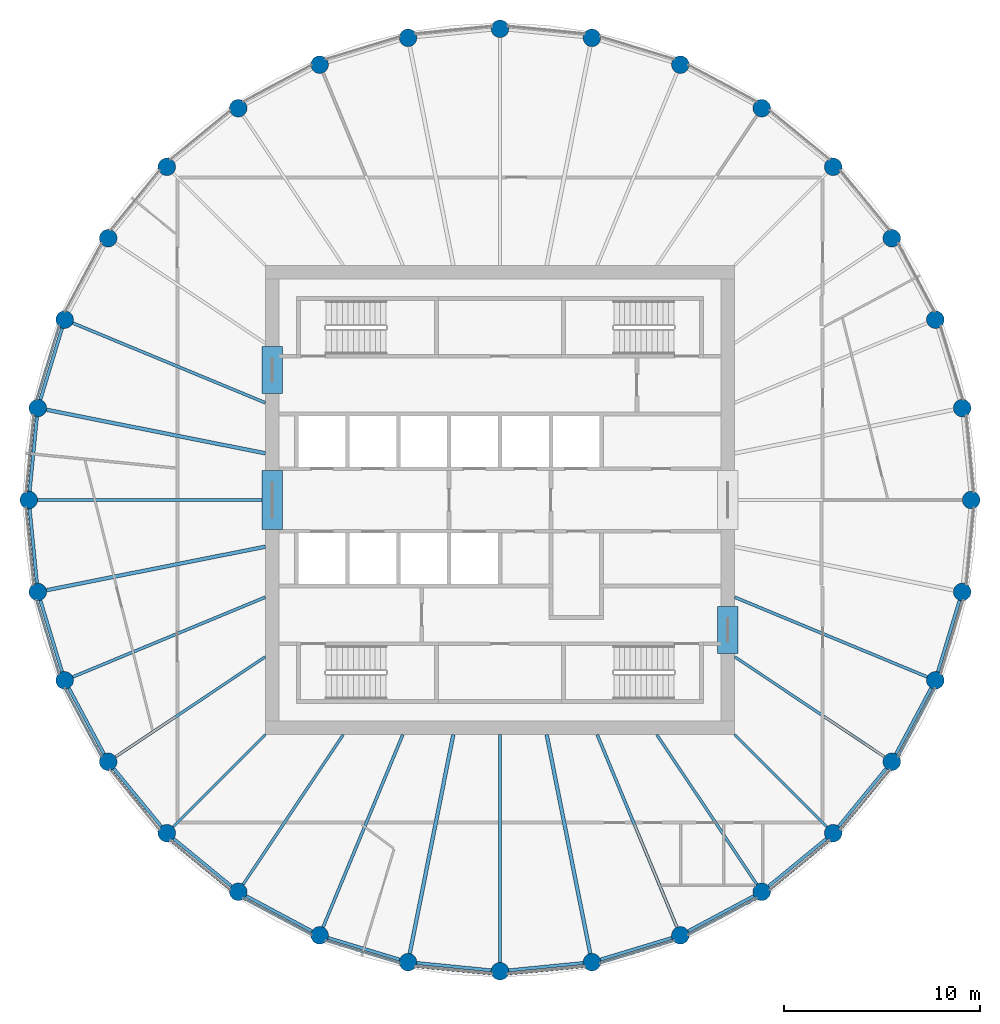
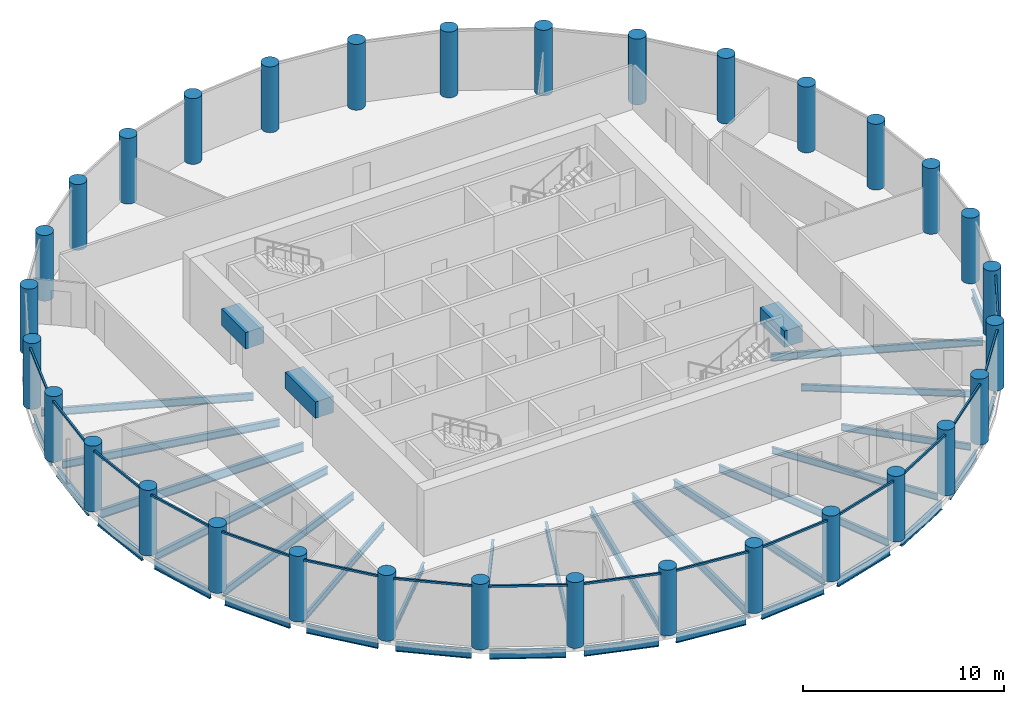
# One storey, part 1 of 7: 37 beams, 32 columns, 16 members, 16 elements without a shape of their own.
"""IFC4 building model written with IfcOpenShell, lengths in metres."""

from ifc_helpers import new_model, si_unit, direction, frame, origin, origin_2d, place, context, subcontext, project, spatial, rectangle, circle, i_section, extrude, material, material_profile, profile_set, type_object, element, aggregate, save


model = new_model("IFC4")

# Units and contexts
model_context = context("Model", 3, precision=1e-05, world=origin(), true_north=direction((0.0, 1.0)))
body_context = subcontext(model_context, "Body", "Model", "MODEL_VIEW")
ifc_project = project(units=[si_unit("LENGTHUNIT", "METRE"), si_unit("AREAUNIT", "SQUARE_METRE"), si_unit("VOLUMEUNIT", "CUBIC_METRE"), si_unit("PLANEANGLEUNIT", "RADIAN"), si_unit("MASSUNIT", "GRAM", prefix="KILO")], contexts=[model_context])

# Site, building, storey
site_placement = place(None, origin())
site = spatial("IfcSite", under=ifc_project, at=site_placement, CompositionType="ELEMENT")
building_placement = place(site_placement, origin())
building = spatial("IfcBuilding", under=site, at=building_placement, Name="Corvane Civic Tower", CompositionType="ELEMENT")
storey_placement = place(building_placement, frame((0.0, 0.0, 267.0)))
storey = spatial("IfcBuildingStorey", under=building, at=storey_placement, Name="L63", CompositionType="ELEMENT", Elevation=267.0)

# Columns
ifc_material_1 = material(Name="Concrete C60/75", Category="concrete")
ifc_material_profile_1 = material_profile(ifc_material_1, circle(Radius=0.449951171875, at=origin_2d()), Name="COLUMN 900")
ifc_profile_set_1 = profile_set([ifc_material_profile_1], Name="Concrete C60/75")
column_type = type_object("IfcColumnType", Name="RC COLUMN COLUMN 900", PredefinedType="COLUMN", material=ifc_profile_set_1)
for number, where, z_axis, x_axis, name in (
    (1, (0.0, 24.10009765625, 0.0), (0.0, 0.0, 1.0), (1.0, 0.0, 0.0), "COL-L63-E01"),
    (2, (4.70166015625, 23.636962890625, 0.0), (0.0, 0.0, 1.0), (1.0, 0.0, 0.0), "COL-L63-E02"),
    (3, (9.22265625, 22.265380859375, 0.0), (0.0, 0.0, 1.0), (1.0, 0.0, 0.0), "COL-L63-E03"),
    (4, (13.38916015625, 20.038330078125, 0.0), (0.0, 0.0, 1.0), (1.0, 0.0, 0.0), "COL-L63-E04"),
    (5, (17.041259765625, 17.041259765625, 0.0), (0.0, 0.0, 1.0), (1.0, 0.0, 0.0), "COL-L63-E05"),
    (6, (20.038330078125, 13.38916015625, 0.0), (0.0, 0.0, 1.0), (1.0, 0.0, 0.0), "COL-L63-E06"),
    (7, (22.265380859375, 9.22265625, 0.0), (0.0, 0.0, 1.0), (1.0, 0.0, 0.0), "COL-L63-E07"),
    (8, (23.636962890625, 4.70166015625, 0.0), (0.0, 0.0, 1.0), (1.0, 0.0, 0.0), "COL-L63-E08"),
    (9, (24.10009765625, 0.0, 0.0), (0.0, 0.0, 1.0), (1.0, 0.0, 0.0), "COL-L63-E09"),
    (10, (23.636962890625, -4.70166015625, 0.0), (0.0, 0.0, 1.0), (1.0, 0.0, 0.0), "COL-L63-E10"),
    (11, (22.265380859375, -9.22265625, 0.0), (0.0, 0.0, 1.0), (1.0, 0.0, 0.0), "COL-L63-E11"),
    (12, (20.038330078125, -13.38916015625, 0.0), (0.0, 0.0, 1.0), (1.0, 0.0, 0.0), "COL-L63-E12"),
    (13, (17.041259765625, -17.041259765625, 0.0), (0.0, 0.0, 1.0), (1.0, 0.0, 0.0), "COL-L63-E13"),
    (14, (13.38916015625, -20.038330078125, 0.0), (0.0, 0.0, 1.0), (1.0, 0.0, 0.0), "COL-L63-E14"),
    (15, (9.22265625, -22.265380859375, 0.0), (0.0, 0.0, 1.0), (1.0, 0.0, 0.0), "COL-L63-E15"),
    (16, (4.70166015625, -23.636962890625, 0.0), (0.0, 0.0, 1.0), (1.0, 0.0, 0.0), "COL-L63-E16"),
    (17, (0.0, -24.10009765625, 0.0), (0.0, 0.0, 1.0), (1.0, 0.0, 0.0), "COL-L63-E17"),
    (18, (-4.70166015625, -23.636962890625, 0.0), (0.0, 0.0, 1.0), (1.0, 0.0, 0.0), "COL-L63-E18"),
    (19, (-9.22265625, -22.265380859375, 0.0), (0.0, 0.0, 1.0), (1.0, 0.0, 0.0), "COL-L63-E19"),
    (20, (-13.38916015625, -20.038330078125, 0.0), (0.0, 0.0, 1.0), (1.0, 0.0, 0.0), "COL-L63-E20"),
    (21, (-17.041259765625, -17.041259765625, 0.0), (0.0, 0.0, 1.0), (1.0, 0.0, 0.0), "COL-L63-E21"),
    (22, (-20.038330078125, -13.38916015625, 0.0), (0.0, 0.0, 1.0), (1.0, 0.0, 0.0), "COL-L63-E22"),
    (23, (-22.265380859375, -9.22265625, 0.0), (0.0, 0.0, 1.0), (1.0, 0.0, 0.0), "COL-L63-E23"),
    (24, (-23.636962890625, -4.70166015625, 0.0), (0.0, 0.0, 1.0), (1.0, 0.0, 0.0), "COL-L63-E24"),
    (25, (-24.10009765625, 0.0, 0.0), (0.0, 0.0, 1.0), (1.0, 0.0, 0.0), "COL-L63-E25"),
    (26, (-23.636962890625, 4.70166015625, 0.0), (0.0, 0.0, 1.0), (1.0, 0.0, 0.0), "COL-L63-E26"),
    (27, (-22.265380859375, 9.22265625, 0.0), (0.0, 0.0, 1.0), (1.0, 0.0, 0.0), "COL-L63-E27"),
    (28, (-20.038330078125, 13.38916015625, 0.0), (0.0, 0.0, 1.0), (1.0, 0.0, 0.0), "COL-L63-E28"),
    (29, (-17.041259765625, 17.041259765625, 0.0), (0.0, 0.0, 1.0), (1.0, 0.0, 0.0), "COL-L63-E29"),
    (30, (-13.38916015625, 20.038330078125, 0.0), (0.0, 0.0, 1.0), (1.0, 0.0, 0.0), "COL-L63-E30"),
    (31, (-9.22265625, 22.265380859375, 0.0), (0.0, 0.0, 1.0), (1.0, 0.0, 0.0), "COL-L63-E31"),
    (32, (-4.70166015625, 23.636962890625, 0.0), (0.0, 0.0, 1.0), (1.0, 0.0, 0.0), "COL-L63-E32"),
):
    element("IfcColumn", number, at=place(storey_placement, frame(where, z_axis=z_axis, x_axis=x_axis)), inside=storey, type_object=column_type, Name=name, PredefinedType="COLUMN", context=body_context, shape_type="SweptSolid", body=[
        extrude(circle(Radius=0.449951171875, at=origin_2d()), origin(), (0.0, 0.0, 1.0), 4.0),
    ])

# Beams
ifc_material_2 = material(Name="Concrete C40/50", Category="concrete")
ifc_material_profile_2 = material_profile(ifc_material_2, rectangle(XDim=1.050048828125, YDim=1.0, at=origin_2d()), Name="COUPLING BEAM 1050X1000")
ifc_profile_set_2 = profile_set([ifc_material_profile_2], Name="Concrete C40/50")
beam_type_1 = type_object("IfcBeamType", Name="COUPLING BEAM COUPLING BEAM 1050X1000", PredefinedType="BEAM", material=ifc_profile_set_2)
beam_1_placement = place(storey_placement, frame((-11.64990234375, -1.5, 2.60009765625), z_axis=(0.0, 1.0, 0.0), x_axis=(-1.0, 0.0, 0.0)))
element("IfcBeam", 33, at=beam_1_placement, inside=storey, type_object=beam_type_1, Name="BM-L63-cpl-CW-LW", PredefinedType="BEAM", context=body_context, shape_type="SweptSolid", body=[
    extrude(rectangle(XDim=1.050048828125, YDim=1.0, at=origin_2d()), origin(), (0.0, 0.0, 1.0), 3.0),
])
for number, where, z_axis, x_axis, name in (
    (34, (-11.64990234375, 5.449951171875, 2.60009765625), (0.0, 1.0, 0.0), (-1.0, 0.0, 0.0), "BM-L63-cpl-CW-WN"),
    (35, (11.64990234375, -7.85009765625, 2.60009765625), (0.0, 1.0, 0.0), (-1.0, 0.0, 0.0), "BM-L63-cpl-CW-ES"),
):
    element("IfcBeam", number, at=place(storey_placement, frame(where, z_axis=z_axis, x_axis=x_axis)), inside=storey, type_object=beam_type_1, Name=name, PredefinedType="BEAM", context=body_context, shape_type="SweptSolid", body=[
        extrude(rectangle(XDim=1.050048828125, YDim=1.0, at=origin_2d()), origin(), (0.0, 0.0, 1.0), 2.400146484375),
    ])
ifc_material_3 = material(Name="Steel ASTM A992 Gr 50", Category="steel")
ifc_material_profile_3 = material_profile(ifc_material_3, i_section(OverallWidth=0.165771484375, OverallDepth=0.5283203125, WebThickness=0.009765625, FlangeThickness=0.013671875, at=origin_2d()), Name="W21X50")
ifc_profile_set_3 = profile_set([ifc_material_profile_3], Name="Steel ASTM A992 Gr 50")
beam_type_2 = type_object("IfcBeamType", Name="EDGE BEAM W21X50", PredefinedType="BEAM", material=ifc_profile_set_3)
beam_2_placement = place(storey_placement, frame((23.50634765625, -5.13232421875, -0.564208984375), z_axis=(-0.290333385085, -0.95692555902, 0.0), x_axis=(0.95692555902, -0.290333385085, 0.0)))
element("IfcBeam", 36, at=beam_2_placement, inside=storey, type_object=beam_type_2, Name="BM-L63-E10", PredefinedType="BEAM", context=body_context, shape_type="SweptSolid", body=[
    extrude(i_section(OverallWidth=0.165771484375, OverallDepth=0.5283203125, WebThickness=0.009765625, FlangeThickness=0.013671875, at=origin_2d()), origin(), (0.0, 0.0, 1.0), 3.824462890625),
])
beam_3_placement = place(storey_placement, frame((22.05322265625, -9.61962890625, -0.564208984375), z_axis=(-0.471409804487, -0.881914279413, 0.0), x_axis=(0.881914279413, -0.471409804487, 0.0)))
element("IfcBeam", 37, at=beam_3_placement, inside=storey, type_object=beam_type_2, Name="BM-L63-E11", PredefinedType="BEAM", context=body_context, shape_type="SweptSolid", body=[
    extrude(i_section(OverallWidth=0.165771484375, OverallDepth=0.5283203125, WebThickness=0.009765625, FlangeThickness=0.013671875, at=origin_2d()), origin(), (0.0, 0.0, 1.0), 3.82421875),
])
for number, where, z_axis, x_axis, name in (
    (38, (19.7529296875, -13.737060546875, -0.564208984375), (-0.634408562057, -0.772997914867, 0.0), (0.772997914867, -0.634408562057, 0.0), "BM-L63-E12"),
    (39, (16.693359375, -17.32666015625, -0.564208984375), (-0.772997914867, -0.634408562057, 0.0), (0.634408562057, -0.772997914867, 0.0), "BM-L63-E13"),
):
    element("IfcBeam", number, at=place(storey_placement, frame(where, z_axis=z_axis, x_axis=x_axis)), inside=storey, type_object=beam_type_2, Name=name, PredefinedType="BEAM", context=body_context, shape_type="SweptSolid", body=[
        extrude(i_section(OverallWidth=0.165771484375, OverallDepth=0.5283203125, WebThickness=0.009765625, FlangeThickness=0.013671875, at=origin_2d()), origin(), (0.0, 0.0, 1.0), 3.824462890625),
    ])
beam_4_placement = place(storey_placement, frame((12.9921875, -20.25048828125, -0.564208984375), z_axis=(-0.881914279413, -0.471409804487, 0.0), x_axis=(0.471409804487, -0.881914279413, 0.0)))
element("IfcBeam", 40, at=beam_4_placement, inside=storey, type_object=beam_type_2, Name="BM-L63-E14", PredefinedType="BEAM", context=body_context, shape_type="SweptSolid", body=[
    extrude(i_section(OverallWidth=0.165771484375, OverallDepth=0.5283203125, WebThickness=0.009765625, FlangeThickness=0.013671875, at=origin_2d()), origin(), (0.0, 0.0, 1.0), 3.82421875),
])
for number, where, z_axis, x_axis, name in (
    (41, (8.7919921875, -22.39599609375, -0.564208984375), (-0.95692555902, -0.290333385085, 0.0), (0.290333385085, -0.95692555902, 0.0), "BM-L63-E15"),
    (42, (4.25390625, -23.68115234375, -0.564208984375), (-0.995187721162, -0.097986732007, 0.0), (0.097986732007, -0.995187721162, 0.0), "BM-L63-E16"),
    (43, (-0.44775390625, -24.055908203125, -0.564208984375), (-0.995187721162, 0.097986732007, 0.0), (-0.097986732007, -0.995187721162, 0.0), "BM-L63-E17"),
    (44, (-5.13232421875, -23.50634765625, -0.564208984375), (-0.95692555902, 0.290333385085, 0.0), (-0.290333385085, -0.95692555902, 0.0), "BM-L63-E18"),
):
    element("IfcBeam", number, at=place(storey_placement, frame(where, z_axis=z_axis, x_axis=x_axis)), inside=storey, type_object=beam_type_2, Name=name, PredefinedType="BEAM", context=body_context, shape_type="SweptSolid", body=[
        extrude(i_section(OverallWidth=0.165771484375, OverallDepth=0.5283203125, WebThickness=0.009765625, FlangeThickness=0.013671875, at=origin_2d()), origin(), (0.0, 0.0, 1.0), 3.824462890625),
    ])
beam_5_placement = place(storey_placement, frame((-9.61962890625, -22.05322265625, -0.564208984375), z_axis=(-0.881914279413, 0.471409804487, 0.0), x_axis=(-0.471409804487, -0.881914279413, 0.0)))
element("IfcBeam", 45, at=beam_5_placement, inside=storey, type_object=beam_type_2, Name="BM-L63-E19", PredefinedType="BEAM", context=body_context, shape_type="SweptSolid", body=[
    extrude(i_section(OverallWidth=0.165771484375, OverallDepth=0.5283203125, WebThickness=0.009765625, FlangeThickness=0.013671875, at=origin_2d()), origin(), (0.0, 0.0, 1.0), 3.82421875),
])
for number, where, z_axis, x_axis, name in (
    (46, (-13.737060546875, -19.7529296875, -0.564208984375), (-0.772997914867, 0.634408562057, 0.0), (-0.634408562057, -0.772997914867, 0.0), "BM-L63-E20"),
    (47, (-17.32666015625, -16.693359375, -0.564208984375), (-0.634408562057, 0.772997914867, 0.0), (-0.772997914867, -0.634408562057, 0.0), "BM-L63-E21"),
):
    element("IfcBeam", number, at=place(storey_placement, frame(where, z_axis=z_axis, x_axis=x_axis)), inside=storey, type_object=beam_type_2, Name=name, PredefinedType="BEAM", context=body_context, shape_type="SweptSolid", body=[
        extrude(i_section(OverallWidth=0.165771484375, OverallDepth=0.5283203125, WebThickness=0.009765625, FlangeThickness=0.013671875, at=origin_2d()), origin(), (0.0, 0.0, 1.0), 3.824462890625),
    ])
beam_6_placement = place(storey_placement, frame((-20.25048828125, -12.9921875, -0.564208984375), z_axis=(-0.471409804487, 0.881914279413, 0.0), x_axis=(-0.881914279413, -0.471409804487, 0.0)))
element("IfcBeam", 48, at=beam_6_placement, inside=storey, type_object=beam_type_2, Name="BM-L63-E22", PredefinedType="BEAM", context=body_context, shape_type="SweptSolid", body=[
    extrude(i_section(OverallWidth=0.165771484375, OverallDepth=0.5283203125, WebThickness=0.009765625, FlangeThickness=0.013671875, at=origin_2d()), origin(), (0.0, 0.0, 1.0), 3.82421875),
])
for number, where, z_axis, x_axis, name in (
    (49, (-22.39599609375, -8.7919921875, -0.564208984375), (-0.290333385085, 0.95692555902, 0.0), (-0.95692555902, -0.290333385085, 0.0), "BM-L63-E23"),
    (50, (-23.68115234375, -4.25390625, -0.564208984375), (-0.097986732007, 0.995187721162, 0.0), (-0.995187721162, -0.097986732007, 0.0), "BM-L63-E24"),
    (51, (-24.055908203125, 0.44775390625, -0.564208984375), (0.097986732007, 0.995187721162, 0.0), (-0.995187721162, 0.097986732007, 0.0), "BM-L63-E25"),
    (52, (-23.50634765625, 5.13232421875, -0.564208984375), (0.290333385085, 0.95692555902, 0.0), (-0.95692555902, 0.290333385085, 0.0), "BM-L63-E26"),
):
    element("IfcBeam", number, at=place(storey_placement, frame(where, z_axis=z_axis, x_axis=x_axis)), inside=storey, type_object=beam_type_2, Name=name, PredefinedType="BEAM", context=body_context, shape_type="SweptSolid", body=[
        extrude(i_section(OverallWidth=0.165771484375, OverallDepth=0.5283203125, WebThickness=0.009765625, FlangeThickness=0.013671875, at=origin_2d()), origin(), (0.0, 0.0, 1.0), 3.824462890625),
    ])
ifc_material_4 = material(Name="Steel ASTM A992 Gr 50", Category="steel")
ifc_material_profile_4 = material_profile(ifc_material_4, i_section(OverallWidth=0.140380859375, OverallDepth=0.40380859375, WebThickness=0.007080078125, FlangeThickness=0.01123046875, at=origin_2d()), Name="W16X31")
ifc_profile_set_4 = profile_set([ifc_material_profile_4], Name="Steel ASTM A992 Gr 50")
beam_type_3 = type_object("IfcBeamType", Name="FLOOR GIRDER W16X31", PredefinedType="BEAM", material=ifc_profile_set_4)
beam_7_placement = place(storey_placement, frame((12.0, -8.01806640625, -0.501953125), z_axis=(0.831471227061, -0.555567816355, 0.0), x_axis=(0.555567816355, 0.831471227061, 0.0)))
element("IfcBeam", 53, at=beam_7_placement, inside=storey, type_object=beam_type_3, Name="BM-L63-G12", PredefinedType="BEAM", context=body_context, shape_type="SweptSolid", body=[
    extrude(i_section(OverallWidth=0.140380859375, OverallDepth=0.40380859375, WebThickness=0.007080078125, FlangeThickness=0.01123046875, at=origin_2d()), origin(), (0.0, 0.0, 1.0), 9.2177734375),
])
beam_8_placement = place(storey_placement, frame((12.0, -12.0, -0.501953125), z_axis=(0.707106781187, -0.707106781187, 0.0), x_axis=(0.707106781187, 0.707106781187, 0.0)))
element("IfcBeam", 54, at=beam_8_placement, inside=storey, type_object=beam_type_3, Name="BM-L63-G13", PredefinedType="BEAM", context=body_context, shape_type="SweptSolid", body=[
    extrude(i_section(OverallWidth=0.140380859375, OverallDepth=0.40380859375, WebThickness=0.007080078125, FlangeThickness=0.01123046875, at=origin_2d()), origin(), (0.0, 0.0, 1.0), 6.679443359375),
])
for number, where, z_axis, x_axis, name in (
    (55, (8.01806640625, -12.0, -0.501953125), (0.555567816355, -0.831471227061, 0.0), (0.831471227061, 0.555567816355, 0.0), "BM-L63-G14"),
    (56, (-8.01806640625, -12.0, -0.501953125), (-0.555567816355, -0.831471227061, 0.0), (0.831471227061, -0.555567816355, 0.0), "BM-L63-G20"),
):
    element("IfcBeam", number, at=place(storey_placement, frame(where, z_axis=z_axis, x_axis=x_axis)), inside=storey, type_object=beam_type_3, Name=name, PredefinedType="BEAM", context=body_context, shape_type="SweptSolid", body=[
        extrude(i_section(OverallWidth=0.140380859375, OverallDepth=0.40380859375, WebThickness=0.007080078125, FlangeThickness=0.01123046875, at=origin_2d()), origin(), (0.0, 0.0, 1.0), 9.2177734375),
    ])
beam_9_placement = place(storey_placement, frame((-12.0, -12.0, -0.501953125), z_axis=(-0.707106781187, -0.707106781187, 0.0), x_axis=(0.707106781187, -0.707106781187, 0.0)))
element("IfcBeam", 57, at=beam_9_placement, inside=storey, type_object=beam_type_3, Name="BM-L63-G21", PredefinedType="BEAM", context=body_context, shape_type="SweptSolid", body=[
    extrude(i_section(OverallWidth=0.140380859375, OverallDepth=0.40380859375, WebThickness=0.007080078125, FlangeThickness=0.01123046875, at=origin_2d()), origin(), (0.0, 0.0, 1.0), 6.679443359375),
])
beam_10_placement = place(storey_placement, frame((-12.0, -8.01806640625, -0.501953125), z_axis=(-0.831471227061, -0.555567816355, 0.0), x_axis=(0.555567816355, -0.831471227061, 0.0)))
element("IfcBeam", 58, at=beam_10_placement, inside=storey, type_object=beam_type_3, Name="BM-L63-G22", PredefinedType="BEAM", context=body_context, shape_type="SweptSolid", body=[
    extrude(i_section(OverallWidth=0.140380859375, OverallDepth=0.40380859375, WebThickness=0.007080078125, FlangeThickness=0.01123046875, at=origin_2d()), origin(), (0.0, 0.0, 1.0), 9.2177734375),
])
ifc_material_5 = material(Name="Steel ASTM A992 Gr 50", Category="steel")
ifc_material_profile_5 = material_profile(ifc_material_5, i_section(OverallWidth=0.15283203125, OverallDepth=0.45458984375, WebThickness=0.008056640625, FlangeThickness=0.013427734375, at=origin_2d()), Name="W18X40")
ifc_profile_set_5 = profile_set([ifc_material_profile_5], Name="Steel ASTM A992 Gr 50")
beam_type_4 = type_object("IfcBeamType", Name="FLOOR GIRDER W18X40", PredefinedType="BEAM", material=ifc_profile_set_5)
for number, where, z_axis, x_axis, name in (
    (59, (12.0, -4.970458984375, -0.52734375), (0.923875048589, -0.382694257331, 0.0), (0.382694257331, 0.923875048589, 0.0), "BM-L63-G11"),
    (60, (4.970458984375, -12.0, -0.52734375), (0.382694257331, -0.923875048589, 0.0), (0.923875048589, 0.382694257331, 0.0), "BM-L63-G15"),
    (61, (-4.970458984375, -12.0, -0.52734375), (-0.382694257331, -0.923875048589, 0.0), (0.923875048589, -0.382694257331, 0.0), "BM-L63-G19"),
    (62, (-12.0, -4.970458984375, -0.52734375), (-0.923875048589, -0.382694257331, 0.0), (0.382694257331, -0.923875048589, 0.0), "BM-L63-G23"),
    (63, (-12.0, 4.970458984375, -0.52734375), (-0.923875048589, 0.382694257331, 0.0), (-0.382694257331, -0.923875048589, 0.0), "BM-L63-G27"),
):
    element("IfcBeam", number, at=place(storey_placement, frame(where, z_axis=z_axis, x_axis=x_axis)), inside=storey, type_object=beam_type_4, Name=name, PredefinedType="BEAM", context=body_context, shape_type="SweptSolid", body=[
        extrude(i_section(OverallWidth=0.15283203125, OverallDepth=0.45458984375, WebThickness=0.008056640625, FlangeThickness=0.013427734375, at=origin_2d()), origin(), (0.0, 0.0, 1.0), 10.661376953125),
    ])
ifc_material_6 = material(Name="Steel ASTM A992 Gr 50", Category="steel")
ifc_material_profile_6 = material_profile(ifc_material_6, i_section(OverallWidth=0.1904296875, OverallDepth=0.457275390625, WebThickness=0.009033203125, FlangeThickness=0.014404296875, at=origin_2d()), Name="W18X50")
ifc_profile_set_6 = profile_set([ifc_material_profile_6], Name="Steel ASTM A992 Gr 50")
beam_type_5 = type_object("IfcBeamType", Name="FLOOR GIRDER W18X50", PredefinedType="BEAM", material=ifc_profile_set_6)
for number, where, z_axis, x_axis, name in (
    (64, (2.386962890625, -12.0, -0.528564453125), (0.195079532402, -0.980787426529, 0.0), (0.980787426529, 0.195079532402, 0.0), "BM-L63-G16"),
    (65, (-2.386962890625, -12.0, -0.528564453125), (-0.195079532402, -0.980787426529, 0.0), (0.980787426529, -0.195079532402, 0.0), "BM-L63-G18"),
    (66, (-12.0, -2.386962890625, -0.528564453125), (-0.980787426529, -0.195079532402, 0.0), (0.195079532402, -0.980787426529, 0.0), "BM-L63-G24"),
    (67, (-12.0, 2.386962890625, -0.528564453125), (-0.980787426529, 0.195079532402, 0.0), (-0.195079532402, -0.980787426529, 0.0), "BM-L63-G26"),
):
    element("IfcBeam", number, at=place(storey_placement, frame(where, z_axis=z_axis, x_axis=x_axis)), inside=storey, type_object=beam_type_5, Name=name, PredefinedType="BEAM", context=body_context, shape_type="SweptSolid", body=[
        extrude(i_section(OverallWidth=0.1904296875, OverallDepth=0.457275390625, WebThickness=0.009033203125, FlangeThickness=0.014404296875, at=origin_2d()), origin(), (0.0, 0.0, 1.0), 11.414794921875),
    ])
ifc_material_7 = material(Name="Steel ASTM A992 Gr 50", Category="steel")
ifc_material_profile_7 = material_profile(ifc_material_7, i_section(OverallWidth=0.165771484375, OverallDepth=0.5283203125, WebThickness=0.009765625, FlangeThickness=0.013671875, at=origin_2d()), Name="W21X50")
ifc_profile_set_7 = profile_set([ifc_material_profile_7], Name="Steel ASTM A992 Gr 50")
beam_type_6 = type_object("IfcBeamType", Name="FLOOR GIRDER W21X50", PredefinedType="BEAM", material=ifc_profile_set_7)
for number, where, z_axis, x_axis, name in (
    (68, (0.0, -12.0, -0.564208984375), (0.0, -1.0, 0.0), (1.0, 0.0, 0.0), "BM-L63-G17"),
    (69, (-12.0, 0.0, -0.564208984375), (-1.0, 0.0, 0.0), (0.0, -1.0, 0.0), "BM-L63-G25"),
):
    element("IfcBeam", number, at=place(storey_placement, frame(where, z_axis=z_axis, x_axis=x_axis)), inside=storey, type_object=beam_type_6, Name=name, PredefinedType="BEAM", context=body_context, shape_type="SweptSolid", body=[
        extrude(i_section(OverallWidth=0.165771484375, OverallDepth=0.5283203125, WebThickness=0.009765625, FlangeThickness=0.013671875, at=origin_2d()), origin(), (0.0, 0.0, 1.0), 11.64990234375),
    ])

# Curtain wall, member
ifc_material_8 = material(Name="Anodised aluminium bronze", Category="aluminium")
curtain_wall_type = type_object("IfcCurtainWallType", Name="TOWER CW-T3 STICK CURTAIN WALL", PredefinedType="NOTDEFINED", material=ifc_material_8)
curtain_wall_1_placement = place(storey_placement, origin())
curtain_wall_1 = element("IfcCurtainWall", 70, at=curtain_wall_1_placement, inside=storey, type_object=curtain_wall_type, Name="Curtain wall CW-T3 L63 bay 11", PredefinedType="NOTDEFINED")
ifc_material_9 = material(Name="Anodised aluminium bronze", Category="aluminium")
ifc_material_profile_8 = material_profile(ifc_material_9, rectangle(XDim=0.10009765625, YDim=0.1201171875, at=origin_2d()), Name="TOWER CW-T3 TRANSOM 100x120")
ifc_profile_set_8 = profile_set([ifc_material_profile_8], Name="Anodised aluminium bronze")
member_type = type_object("IfcMemberType", Name="TOWER CW-T3 TRANSOM 100x120", PredefinedType="USERDEFINED", material=ifc_profile_set_8)
member_1_placement = place(storey_placement, frame((22.2431640625, -9.644775390625, 3.68994140625), z_axis=(-0.471468241052, -0.881883040816, 0.0), x_axis=(0.881883040816, -0.471468241052, 0.0)))
member_1 = element("IfcMember", 71, at=member_1_placement, type_object=member_type, Name="Transom CW-T3 L63 11.1", ObjectType="TRANSOM", PredefinedType="USERDEFINED", context=body_context, shape_type="SweptSolid", body=[
    extrude(rectangle(XDim=0.10009765625, YDim=0.1201171875, at=origin_2d()), origin(), (0.0, 0.0, 1.0), 3.958740234375),
])
aggregate(curtain_wall_1, [member_1])

curtain_wall_2_placement = place(storey_placement, origin())
curtain_wall_2 = element("IfcCurtainWall", 72, at=curtain_wall_2_placement, inside=storey, type_object=curtain_wall_type, Name="Curtain wall CW-T3 L63 bay 12", PredefinedType="NOTDEFINED")
member_2_placement = place(storey_placement, frame((19.93408203125, -13.798828125, 3.68994140625), z_axis=(-0.634415838373, -0.772991943051, 0.0), x_axis=(0.772991943051, -0.634415838373, 0.0)))
member_2 = element("IfcMember", 73, at=member_2_placement, type_object=member_type, Name="Transom CW-T3 L63 12.1", ObjectType="TRANSOM", PredefinedType="USERDEFINED", context=body_context, shape_type="SweptSolid", body=[
    extrude(rectangle(XDim=0.10009765625, YDim=0.1201171875, at=origin_2d()), origin(), (0.0, 0.0, 1.0), 3.958740234375),
])
aggregate(curtain_wall_2, [member_2])

curtain_wall_3_placement = place(storey_placement, origin())
curtain_wall_3 = element("IfcCurtainWall", 74, at=curtain_wall_3_placement, inside=storey, type_object=curtain_wall_type, Name="Curtain wall CW-T3 L63 bay 13", PredefinedType="NOTDEFINED")
member_3_placement = place(storey_placement, frame((16.85888671875, -17.422607421875, 3.68994140625), z_axis=(-0.772991943051, -0.634415838373, 0.0), x_axis=(0.634415838373, -0.772991943051, 0.0)))
member_3 = element("IfcMember", 75, at=member_3_placement, type_object=member_type, Name="Transom CW-T3 L63 13.1", ObjectType="TRANSOM", PredefinedType="USERDEFINED", context=body_context, shape_type="SweptSolid", body=[
    extrude(rectangle(XDim=0.10009765625, YDim=0.1201171875, at=origin_2d()), origin(), (0.0, 0.0, 1.0), 3.958740234375),
])
aggregate(curtain_wall_3, [member_3])

curtain_wall_4_placement = place(storey_placement, origin())
curtain_wall_4 = element("IfcCurtainWall", 76, at=curtain_wall_4_placement, inside=storey, type_object=curtain_wall_type, Name="Curtain wall CW-T3 L63 bay 14", PredefinedType="NOTDEFINED")
member_4_placement = place(storey_placement, frame((13.135986328125, -20.376708984375, 3.68994140625), z_axis=(-0.881883040816, -0.471468241052, 0.0), x_axis=(0.471468241052, -0.881883040816, 0.0)))
member_4 = element("IfcMember", 77, at=member_4_placement, type_object=member_type, Name="Transom CW-T3 L63 14.1", ObjectType="TRANSOM", PredefinedType="USERDEFINED", context=body_context, shape_type="SweptSolid", body=[
    extrude(rectangle(XDim=0.10009765625, YDim=0.1201171875, at=origin_2d()), origin(), (0.0, 0.0, 1.0), 3.958740234375),
])
aggregate(curtain_wall_4, [member_4])

curtain_wall_5_placement = place(storey_placement, origin())
curtain_wall_5 = element("IfcCurtainWall", 78, at=curtain_wall_5_placement, inside=storey, type_object=curtain_wall_type, Name="Curtain wall CW-T3 L63 bay 15", PredefinedType="NOTDEFINED")
member_5_placement = place(storey_placement, frame((8.908447265625, -22.548095703125, 3.68994140625), z_axis=(-0.956946054205, -0.290265825309, 0.0), x_axis=(0.290265825309, -0.956946054205, 0.0)))
member_5 = element("IfcMember", 79, at=member_5_placement, type_object=member_type, Name="Transom CW-T3 L63 15.1", ObjectType="TRANSOM", PredefinedType="USERDEFINED", context=body_context, shape_type="SweptSolid", body=[
    extrude(rectangle(XDim=0.10009765625, YDim=0.1201171875, at=origin_2d()), origin(), (0.0, 0.0, 1.0), 3.958984375),
])
aggregate(curtain_wall_5, [member_5])

curtain_wall_6_placement = place(storey_placement, origin())
curtain_wall_6 = element("IfcCurtainWall", 80, at=curtain_wall_6_placement, inside=storey, type_object=curtain_wall_type, Name="Curtain wall CW-T3 L63 bay 16", PredefinedType="NOTDEFINED")
member_6_placement = place(storey_placement, frame((4.338134765625, -23.852783203125, 3.68994140625), z_axis=(-0.995186866683, -0.097995409999, 0.0), x_axis=(0.097995409999, -0.995186866683, 0.0)))
member_6 = element("IfcMember", 81, at=member_6_placement, type_object=member_type, Name="Transom CW-T3 L63 16.1", ObjectType="TRANSOM", PredefinedType="USERDEFINED", context=body_context, shape_type="SweptSolid", body=[
    extrude(rectangle(XDim=0.10009765625, YDim=0.1201171875, at=origin_2d()), origin(), (0.0, 0.0, 1.0), 3.958740234375),
])
aggregate(curtain_wall_6, [member_6])

curtain_wall_7_placement = place(storey_placement, origin())
curtain_wall_7 = element("IfcCurtainWall", 82, at=curtain_wall_7_placement, inside=storey, type_object=curtain_wall_type, Name="Curtain wall CW-T3 L63 bay 17", PredefinedType="NOTDEFINED")
member_7_placement = place(storey_placement, frame((-0.3984375, -24.24072265625, 3.68994140625), z_axis=(-0.995186866683, 0.097995409999, 0.0), x_axis=(-0.097995409999, -0.995186866683, 0.0)))
member_7 = element("IfcMember", 83, at=member_7_placement, type_object=member_type, Name="Transom CW-T3 L63 17.1", ObjectType="TRANSOM", PredefinedType="USERDEFINED", context=body_context, shape_type="SweptSolid", body=[
    extrude(rectangle(XDim=0.10009765625, YDim=0.1201171875, at=origin_2d()), origin(), (0.0, 0.0, 1.0), 3.958740234375),
])
aggregate(curtain_wall_7, [member_7])

curtain_wall_8_placement = place(storey_placement, origin())
curtain_wall_8 = element("IfcCurtainWall", 84, at=curtain_wall_8_placement, inside=storey, type_object=curtain_wall_type, Name="Curtain wall CW-T3 L63 bay 18", PredefinedType="NOTDEFINED")
member_8_placement = place(storey_placement, frame((-5.119873046875, -23.697265625, 3.68994140625), z_axis=(-0.956946054205, 0.290265825309, 0.0), x_axis=(-0.290265825309, -0.956946054205, 0.0)))
member_8 = element("IfcMember", 85, at=member_8_placement, type_object=member_type, Name="Transom CW-T3 L63 18.1", ObjectType="TRANSOM", PredefinedType="USERDEFINED", context=body_context, shape_type="SweptSolid", body=[
    extrude(rectangle(XDim=0.10009765625, YDim=0.1201171875, at=origin_2d()), origin(), (0.0, 0.0, 1.0), 3.958984375),
])
aggregate(curtain_wall_8, [member_8])

curtain_wall_9_placement = place(storey_placement, origin())
curtain_wall_9 = element("IfcCurtainWall", 86, at=curtain_wall_9_placement, inside=storey, type_object=curtain_wall_type, Name="Curtain wall CW-T3 L63 bay 19", PredefinedType="NOTDEFINED")
member_9_placement = place(storey_placement, frame((-9.644775390625, -22.2431640625, 3.68994140625), z_axis=(-0.881883040816, 0.471468241052, 0.0), x_axis=(-0.471468241052, -0.881883040816, 0.0)))
member_9 = element("IfcMember", 87, at=member_9_placement, type_object=member_type, Name="Transom CW-T3 L63 19.1", ObjectType="TRANSOM", PredefinedType="USERDEFINED", context=body_context, shape_type="SweptSolid", body=[
    extrude(rectangle(XDim=0.10009765625, YDim=0.1201171875, at=origin_2d()), origin(), (0.0, 0.0, 1.0), 3.958740234375),
])
aggregate(curtain_wall_9, [member_9])

curtain_wall_10_placement = place(storey_placement, origin())
curtain_wall_10 = element("IfcCurtainWall", 88, at=curtain_wall_10_placement, inside=storey, type_object=curtain_wall_type, Name="Curtain wall CW-T3 L63 bay 20", PredefinedType="NOTDEFINED")
member_10_placement = place(storey_placement, frame((-13.798828125, -19.93408203125, 3.68994140625), z_axis=(-0.772991943051, 0.634415838373, 0.0), x_axis=(-0.634415838373, -0.772991943051, 0.0)))
member_10 = element("IfcMember", 89, at=member_10_placement, type_object=member_type, Name="Transom CW-T3 L63 20.1", ObjectType="TRANSOM", PredefinedType="USERDEFINED", context=body_context, shape_type="SweptSolid", body=[
    extrude(rectangle(XDim=0.10009765625, YDim=0.1201171875, at=origin_2d()), origin(), (0.0, 0.0, 1.0), 3.958740234375),
])
aggregate(curtain_wall_10, [member_10])

curtain_wall_11_placement = place(storey_placement, origin())
curtain_wall_11 = element("IfcCurtainWall", 90, at=curtain_wall_11_placement, inside=storey, type_object=curtain_wall_type, Name="Curtain wall CW-T3 L63 bay 21", PredefinedType="NOTDEFINED")
member_11_placement = place(storey_placement, frame((-17.422607421875, -16.85888671875, 3.68994140625), z_axis=(-0.634415838373, 0.772991943051, 0.0), x_axis=(-0.772991943051, -0.634415838373, 0.0)))
member_11 = element("IfcMember", 91, at=member_11_placement, type_object=member_type, Name="Transom CW-T3 L63 21.1", ObjectType="TRANSOM", PredefinedType="USERDEFINED", context=body_context, shape_type="SweptSolid", body=[
    extrude(rectangle(XDim=0.10009765625, YDim=0.1201171875, at=origin_2d()), origin(), (0.0, 0.0, 1.0), 3.958740234375),
])
aggregate(curtain_wall_11, [member_11])

curtain_wall_12_placement = place(storey_placement, origin())
curtain_wall_12 = element("IfcCurtainWall", 92, at=curtain_wall_12_placement, inside=storey, type_object=curtain_wall_type, Name="Curtain wall CW-T3 L63 bay 22", PredefinedType="NOTDEFINED")
member_12_placement = place(storey_placement, frame((-20.376708984375, -13.135986328125, 3.68994140625), z_axis=(-0.471468241052, 0.881883040816, 0.0), x_axis=(-0.881883040816, -0.471468241052, 0.0)))
member_12 = element("IfcMember", 93, at=member_12_placement, type_object=member_type, Name="Transom CW-T3 L63 22.1", ObjectType="TRANSOM", PredefinedType="USERDEFINED", context=body_context, shape_type="SweptSolid", body=[
    extrude(rectangle(XDim=0.10009765625, YDim=0.1201171875, at=origin_2d()), origin(), (0.0, 0.0, 1.0), 3.958740234375),
])
aggregate(curtain_wall_12, [member_12])

curtain_wall_13_placement = place(storey_placement, origin())
curtain_wall_13 = element("IfcCurtainWall", 94, at=curtain_wall_13_placement, inside=storey, type_object=curtain_wall_type, Name="Curtain wall CW-T3 L63 bay 23", PredefinedType="NOTDEFINED")
member_13_placement = place(storey_placement, frame((-22.548095703125, -8.908447265625, 3.68994140625), z_axis=(-0.290265825309, 0.956946054205, 0.0), x_axis=(-0.956946054205, -0.290265825309, 0.0)))
member_13 = element("IfcMember", 95, at=member_13_placement, type_object=member_type, Name="Transom CW-T3 L63 23.1", ObjectType="TRANSOM", PredefinedType="USERDEFINED", context=body_context, shape_type="SweptSolid", body=[
    extrude(rectangle(XDim=0.10009765625, YDim=0.1201171875, at=origin_2d()), origin(), (0.0, 0.0, 1.0), 3.958984375),
])
aggregate(curtain_wall_13, [member_13])

curtain_wall_14_placement = place(storey_placement, origin())
curtain_wall_14 = element("IfcCurtainWall", 96, at=curtain_wall_14_placement, inside=storey, type_object=curtain_wall_type, Name="Curtain wall CW-T3 L63 bay 24", PredefinedType="NOTDEFINED")
member_14_placement = place(storey_placement, frame((-23.852783203125, -4.338134765625, 3.68994140625), z_axis=(-0.097995409999, 0.995186866683, 0.0), x_axis=(-0.995186866683, -0.097995409999, 0.0)))
member_14 = element("IfcMember", 97, at=member_14_placement, type_object=member_type, Name="Transom CW-T3 L63 24.1", ObjectType="TRANSOM", PredefinedType="USERDEFINED", context=body_context, shape_type="SweptSolid", body=[
    extrude(rectangle(XDim=0.10009765625, YDim=0.1201171875, at=origin_2d()), origin(), (0.0, 0.0, 1.0), 3.958740234375),
])
aggregate(curtain_wall_14, [member_14])

curtain_wall_15_placement = place(storey_placement, origin())
curtain_wall_15 = element("IfcCurtainWall", 98, at=curtain_wall_15_placement, inside=storey, type_object=curtain_wall_type, Name="Curtain wall CW-T3 L63 bay 25", PredefinedType="NOTDEFINED")
member_15_placement = place(storey_placement, frame((-24.24072265625, 0.3984375, 3.68994140625), z_axis=(0.097995409999, 0.995186866683, 0.0), x_axis=(-0.995186866683, 0.097995409999, 0.0)))
member_15 = element("IfcMember", 99, at=member_15_placement, type_object=member_type, Name="Transom CW-T3 L63 25.1", ObjectType="TRANSOM", PredefinedType="USERDEFINED", context=body_context, shape_type="SweptSolid", body=[
    extrude(rectangle(XDim=0.10009765625, YDim=0.1201171875, at=origin_2d()), origin(), (0.0, 0.0, 1.0), 3.958740234375),
])
aggregate(curtain_wall_15, [member_15])

curtain_wall_16_placement = place(storey_placement, origin())
curtain_wall_16 = element("IfcCurtainWall", 100, at=curtain_wall_16_placement, inside=storey, type_object=curtain_wall_type, Name="Curtain wall CW-T3 L63 bay 26", PredefinedType="NOTDEFINED")
member_16_placement = place(storey_placement, frame((-23.697265625, 5.119873046875, 3.68994140625), z_axis=(0.290265825309, 0.956946054205, 0.0), x_axis=(-0.956946054205, 0.290265825309, 0.0)))
member_16 = element("IfcMember", 101, at=member_16_placement, type_object=member_type, Name="Transom CW-T3 L63 26.1", ObjectType="TRANSOM", PredefinedType="USERDEFINED", context=body_context, shape_type="SweptSolid", body=[
    extrude(rectangle(XDim=0.10009765625, YDim=0.1201171875, at=origin_2d()), origin(), (0.0, 0.0, 1.0), 3.958984375),
])
aggregate(curtain_wall_16, [member_16])

save(model, "model.ifc")
